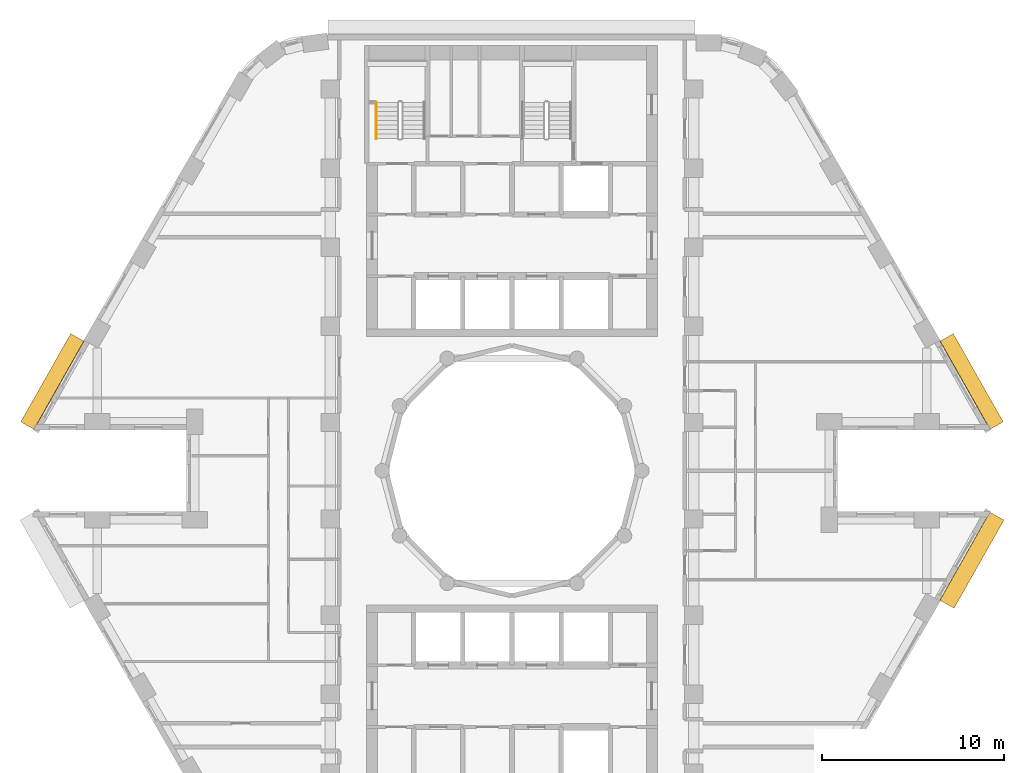
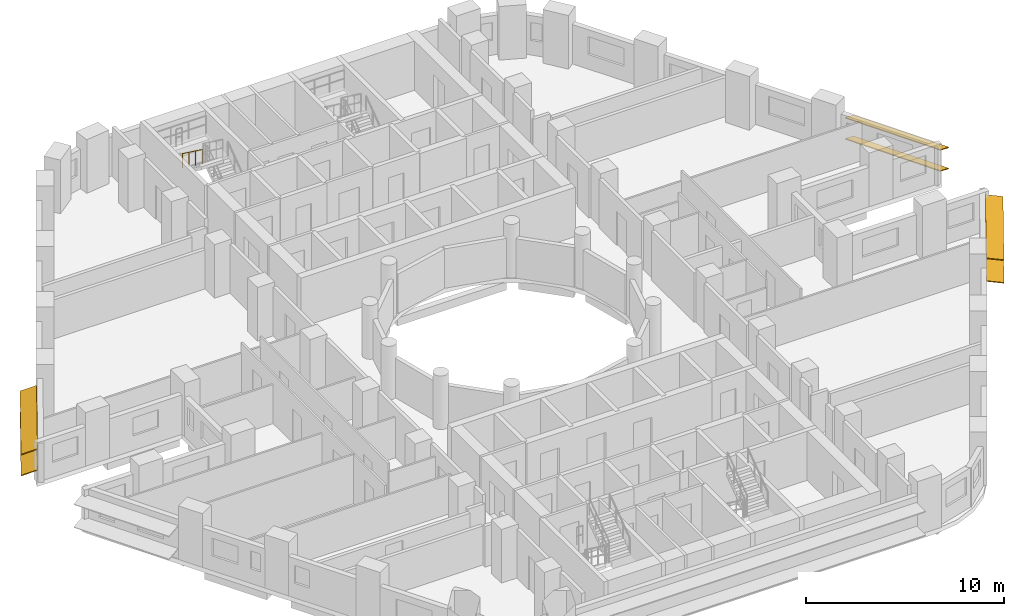
# One storey, part 11 of 12: 6 shading devices, 1 railing.
"""IFC4 building model written with IfcOpenShell, lengths in metres."""

import ifcopenshell
import ifcopenshell.guid

model = None  # the IFC model being written
_history = None  # IfcOwnerHistory: only IFC2X3 demands one
_inside = {}  # id of a spatial element -> (the spatial element, [elements in it])
_under = {}  # id of a project, library or spatial element -> (it, [spatial elements below it])
_declared = {}  # id of a project -> (the project, [libraries it declares])
_typed = {}  # id of a type object -> (the type object, [elements of that type])
_made_of = {}  # id of a material, layer set ... -> (it, [elements and type objects made of it])


def new_model(schema):
    """Start an empty IFC model of exactly this schema.

    Asked for "IFC4X3", IfcOpenShell would pick the latest addendum, in which some entities
    have other attributes; the version numbers below select the first issue.
    IFC2X3 requires an IfcOwnerHistory on every rooted entity: one is made here for all.
    """
    global model, _history
    if schema == "IFC4X3":
        model = ifcopenshell.file(schema_version=(4, 3, 0, 0))
    else:
        model = ifcopenshell.file(schema=schema)
    _inside.clear()
    _under.clear()
    _declared.clear()
    _typed.clear()
    _made_of.clear()
    _history = None
    if model.schema == "IFC2X3":
        org = make("IfcOrganization", Name="unknown")
        user = make(
            "IfcPersonAndOrganization",
            ThePerson=make("IfcPerson", FamilyName="unknown"),
            TheOrganization=org,
        )
        app = make(
            "IfcApplication",
            ApplicationDeveloper=org,
            Version="unknown",
            ApplicationFullName="unknown",
            ApplicationIdentifier="unknown",
        )
        _history = make(
            "IfcOwnerHistory",
            OwningUser=user,
            OwningApplication=app,
            ChangeAction="ADDED",
            CreationDate=0,
        )
    return model


def make(cls, **values):
    """One entity of the class cls with the attributes given. An attribute that is None is left unset."""
    return model.create_entity(
        cls, **{name: value for name, value in values.items() if value is not None}
    )


def rooted(cls, **values):
    """An entity with a GlobalId (a new one), such as an element, a storey or a relation."""
    return make(cls, GlobalId=ifcopenshell.guid.new(), OwnerHistory=_history, **values)


def si_unit(unit_type, name, prefix=None):
    """IfcSIUnit, for example si_unit("LENGTHUNIT", "METRE", prefix="MILLI")."""
    return make("IfcSIUnit", UnitType=unit_type, Prefix=prefix, Name=name)


def assignment(units):
    """IfcUnitAssignment: the units of a project."""
    return None if units is None else make("IfcUnitAssignment", Units=units)


def point(xyz):
    """IfcCartesianPoint."""
    return None if xyz is None else make("IfcCartesianPoint", Coordinates=xyz)


def direction(xyz):
    """IfcDirection."""
    return None if xyz is None else make("IfcDirection", DirectionRatios=xyz)


def frame(location, z_axis=None, x_axis=None):
    """IfcAxis2Placement3D, a coordinate frame: its origin and axes. An axis left out is left unset."""
    return make(
        "IfcAxis2Placement3D",
        Location=point(location),
        Axis=direction(z_axis),
        RefDirection=direction(x_axis),
    )


def frame_2d(location, x_axis=None):
    """IfcAxis2Placement2D, a coordinate frame in the plane: its origin and x axis."""
    return make(
        "IfcAxis2Placement2D", Location=point(location), RefDirection=direction(x_axis)
    )


def origin():
    """The frame at (0, 0, 0) with its axes left unset."""
    return frame((0.0, 0.0, 0.0))


def origin_2d():
    """The frame at (0, 0) in the plane with its x axis left unset."""
    return frame_2d((0.0, 0.0))


def place(relative_to, where):
    """IfcLocalPlacement: puts the frame where relative to a parent placement (None: the world)."""
    return make(
        "IfcLocalPlacement", PlacementRelTo=relative_to, RelativePlacement=where
    )


def context(
    kind, dimensions, precision=None, world=None, true_north=None, identifier=None
):
    """IfcGeometricRepresentationContext, for example the 3D "Model" context."""
    return make(
        "IfcGeometricRepresentationContext",
        ContextIdentifier=identifier,
        ContextType=kind,
        CoordinateSpaceDimension=dimensions,
        Precision=precision,
        WorldCoordinateSystem=world,
        TrueNorth=true_north,
    )


def subcontext(parent, identifier, kind, view, scale=None):
    """IfcGeometricRepresentationSubContext, for example "Body" below "Model"."""
    return make(
        "IfcGeometricRepresentationSubContext",
        ContextIdentifier=identifier,
        ContextType=kind,
        ParentContext=parent,
        TargetScale=scale,
        TargetView=view,
    )


def project(units=None, contexts=None):
    """IfcProject with its units and contexts."""
    return rooted(
        "IfcProject",
        Name="project",
        RepresentationContexts=contexts,
        UnitsInContext=assignment(units),
    )


def spatial(cls, under=None, at=None, **own):
    """A site, building, storey or space (cls), placed at a placement, below another one or the project."""
    s = rooted(cls, ObjectPlacement=at, **own)
    if under is not None:
        _under.setdefault(under.id(), (under, []))[1].append(s)
    return s


def profile(cls, at=None, kind="AREA", **sizes):
    """A parametric profile (cls). Its sizes go by their IFC names, for example OverallWidth=200.0."""
    return make(cls, ProfileType=kind, Position=at, **sizes)


def rectangle(**sizes):
    """IfcRectangleProfileDef."""
    return profile("IfcRectangleProfileDef", **sizes)


def circle(**sizes):
    """IfcCircleProfileDef."""
    return profile("IfcCircleProfileDef", **sizes)


def extrude(swept, where, along, depth):
    """IfcExtrudedAreaSolid: the profile swept, set in the frame where, extruded along a direction by depth."""
    return make(
        "IfcExtrudedAreaSolid",
        SweptArea=swept,
        Position=where,
        ExtrudedDirection=direction(along),
        Depth=depth,
    )


def shape(context_of_items, identifier, shape_type, items):
    """IfcShapeRepresentation: the items that make up one representation, for example the "Body"."""
    return make(
        "IfcShapeRepresentation",
        ContextOfItems=context_of_items,
        RepresentationIdentifier=identifier,
        RepresentationType=shape_type,
        Items=items,
    )


def material(Name=None, Category=None):
    """IfcMaterial."""
    return make("IfcMaterial", Name=Name, Category=Category)


def material_profile(
    of_material, cross_section, Name=None, Category=None, Priority=None
):
    """IfcMaterialProfile: a cross section and its material."""
    return make(
        "IfcMaterialProfile",
        Name=Name,
        Material=of_material,
        Profile=cross_section,
        Priority=Priority,
        Category=Category,
    )


def profile_set(profiles, Name=None, composite=None):
    """IfcMaterialProfileSet."""
    return make(
        "IfcMaterialProfileSet",
        Name=Name,
        MaterialProfiles=profiles,
        CompositeProfile=composite,
    )


def made_of(thing, what):
    """Note that an element or type object is made of a material, layer set ...; save() writes the relation."""
    if what is not None:
        _made_of.setdefault(what.id(), (what, []))[1].append(thing)
    return thing


def type_object(cls, material=None, **own):
    """A type object (cls), such as IfcWallType, which elements share."""
    return made_of(rooted(cls, **own), material)


def element(
    cls,
    number,
    at=None,
    inside=None,
    cuts=None,
    type_object=None,
    material=None,
    context=None,
    identifier="Body",
    shape_type=None,
    held_by="IfcProductDefinitionShape",
    body=None,
    shapes=None,
    **own,
):
    """One element of the class cls, such as IfcWall. Its Tag is "e" and its number.

    at: its placement. inside: the storey or other place that contains it. cuts: it is an
    opening in that element (IfcRelVoidsElement). A single representation is given by context,
    identifier, shape_type and body (its items); several are given by shapes. held_by: the class
    of the entity that holds the representations. save() writes the other relations.
    """
    e = rooted(cls, Tag="e%d" % number, ObjectPlacement=at, **own)
    if body is not None:
        shapes = [shape(context, identifier, shape_type, body)]
    if shapes is not None:
        e.Representation = make(held_by, Representations=shapes)
    if inside is not None:
        _inside.setdefault(inside.id(), (inside, []))[1].append(e)
    if cuts is not None:
        rooted(
            "IfcRelVoidsElement", RelatingBuildingElement=cuts, RelatedOpeningElement=e
        )
    if type_object is not None:
        _typed.setdefault(type_object.id(), (type_object, []))[1].append(e)
    return made_of(e, material)


def aggregate(whole, parts):
    """IfcRelAggregates: a whole, such as a stair, and the parts it consists of."""
    return rooted("IfcRelAggregates", RelatingObject=whole, RelatedObjects=parts)


def save(model, path):
    """Write the relations noted so far, then the file.

    IfcRelAggregates (storeys below a building ...), IfcRelContainedInSpatialStructure (elements
    in a storey), IfcRelDefinesByType, IfcRelAssociatesMaterial and IfcRelDeclares: one each for
    every whole, place, type object, material and project.
    """
    for whole, parts in _under.values():
        aggregate(whole, parts)
    for where, things in _inside.values():
        rooted(
            "IfcRelContainedInSpatialStructure",
            RelatedElements=things,
            RelatingStructure=where,
        )
    for kind, things in _typed.values():
        rooted("IfcRelDefinesByType", RelatedObjects=things, RelatingType=kind)
    for what, things in _made_of.values():
        rooted("IfcRelAssociatesMaterial", RelatedObjects=things, RelatingMaterial=what)
    for by, libraries in _declared.values():
        rooted("IfcRelDeclares", RelatingContext=by, RelatedDefinitions=libraries)
    model.write(path)


model = new_model("IFC4")

# Units and contexts
model_context = context("Model", 3, precision=1e-05, world=origin(), true_north=direction((0.0, 1.0)))
body_context = subcontext(model_context, "Body", "Model", "MODEL_VIEW")
ifc_project = project(units=[si_unit("LENGTHUNIT", "METRE"), si_unit("AREAUNIT", "SQUARE_METRE"), si_unit("VOLUMEUNIT", "CUBIC_METRE"), si_unit("PLANEANGLEUNIT", "RADIAN"), si_unit("MASSUNIT", "GRAM", prefix="KILO")], contexts=[model_context])

# Site, building, storey
site_placement = place(None, origin())
site = spatial("IfcSite", under=ifc_project, at=site_placement, CompositionType="ELEMENT")
building_placement = place(site_placement, origin())
building = spatial("IfcBuilding", under=site, at=building_placement, Name="Nakaniwa Court", CompositionType="ELEMENT")
storey_placement = place(building_placement, frame((0.0, 0.0, 94.199951171875)))
storey = spatial("IfcBuildingStorey", under=building, at=storey_placement, Name="L24", CompositionType="ELEMENT", Elevation=94.199951171875)

# Shading devices
ifc_material_1 = material(Name="Perforated charcoal ceramic louvre blade")
ifc_material_profile = material_profile(ifc_material_1, rectangle(XDim=0.89990234375, YDim=0.050048828125, at=origin_2d()), Name="Perforated ceramic louvre blade")
ifc_profile_set = profile_set([ifc_material_profile], Name="Perforated charcoal ceramic louvre blade")
shading_device_type = type_object("IfcShadingDeviceType", Name="Perforated ceramic louvre blade", PredefinedType="JALOUSIE", material=ifc_profile_set)
for number, where, z_axis, x_axis, name in (
    (1, (106.662353515625, 82.480224609375, 0.550048828125), (-0.492438058427, 0.870347493024, 0.0), (-0.804676322539, -0.455281653718, 0.38107037635), "L24 perforated ceramic louvre blade w02 1"),
    (2, (106.662353515625, 82.480224609375, 1.845458984375), (-0.492438058427, 0.870347493024, 0.0), (-0.804676322539, -0.455281653718, 0.38107037635), "L24 perforated ceramic louvre blade w02 2"),
    (3, (56.083740234375, 87.333740234375, 0.550048828125), (-0.492438058427, -0.870347493024, 0.0), (0.804676322539, -0.455281653718, 0.38107037635), "L24 perforated ceramic louvre blade w14 1"),
    (4, (56.083740234375, 87.333740234375, 1.845458984375), (-0.492438058427, -0.870347493024, 0.0), (0.804676322539, -0.455281653718, 0.38107037635), "L24 perforated ceramic louvre blade w14 2"),
    (5, (103.93701171875, 72.654541015625, 0.550048828125), (0.492438058427, 0.870347493024, 0.0), (-0.862701960504, 0.488112256124, 0.132256390257), "L24 perforated ceramic louvre blade w32 1"),
    (6, (103.93701171875, 72.654541015625, 1.955810546875), (0.492438058427, 0.870347493024, 0.0), (-0.862701960504, 0.488112256124, 0.132256390257), "L24 perforated ceramic louvre blade w32 2"),
):
    element("IfcShadingDevice", number, at=place(storey_placement, frame(where, z_axis=z_axis, x_axis=x_axis)), inside=storey, type_object=shading_device_type, Name=name, PredefinedType="JALOUSIE", context=body_context, shape_type="SweptSolid", body=[
        extrude(rectangle(XDim=0.89990234375, YDim=0.050048828125, at=origin_2d()), origin(), (0.0, 0.0, 1.0), 5.576416015625),
    ])

# Railing
ifc_material_2 = material(Name="Black powder coated steel handrail", Category="steel")
railing_type = type_object("IfcRailingType", Name="Stair handrail 900", PredefinedType="HANDRAIL", material=ifc_material_2)
railing_placement = place(storey_placement, frame((72.52490234375, 100.27490234375, 1.83349609375)))
element("IfcRailing", 7, at=railing_placement, inside=storey, type_object=railing_type, Name="L24 ST1 stair handrail 2", PredefinedType="HANDRAIL", context=body_context, shape_type="SweptSolid", body=[
    extrude(circle(Radius=0.02392578125, at=origin_2d()), frame((0.0, 0.0, 0.8759765625), z_axis=(0.0, -0.806426902644, 0.591333789573), x_axis=(1.0, 0.0, 0.0)), (0.0, 0.0, 1.0), 2.47998046875),
    extrude(circle(Radius=0.02099609375, at=origin_2d()), origin(), (0.0, 0.0, 1.0), 0.851806640625),
    extrude(circle(Radius=0.02099609375, at=origin_2d()), frame((0.0, -0.666748046875, 0.48876953125)), (0.0, 0.0, 1.0), 0.851806640625),
    extrude(circle(Radius=0.02099609375, at=origin_2d()), frame((0.0, -1.333251953125, 0.977783203125)), (0.0, 0.0, 1.0), 0.851806640625),
    extrude(circle(Radius=0.02099609375, at=origin_2d()), frame((0.0, -2.0, 1.466552734375)), (0.0, 0.0, 1.0), 0.851806640625),
])

save(model, "model.ifc")
